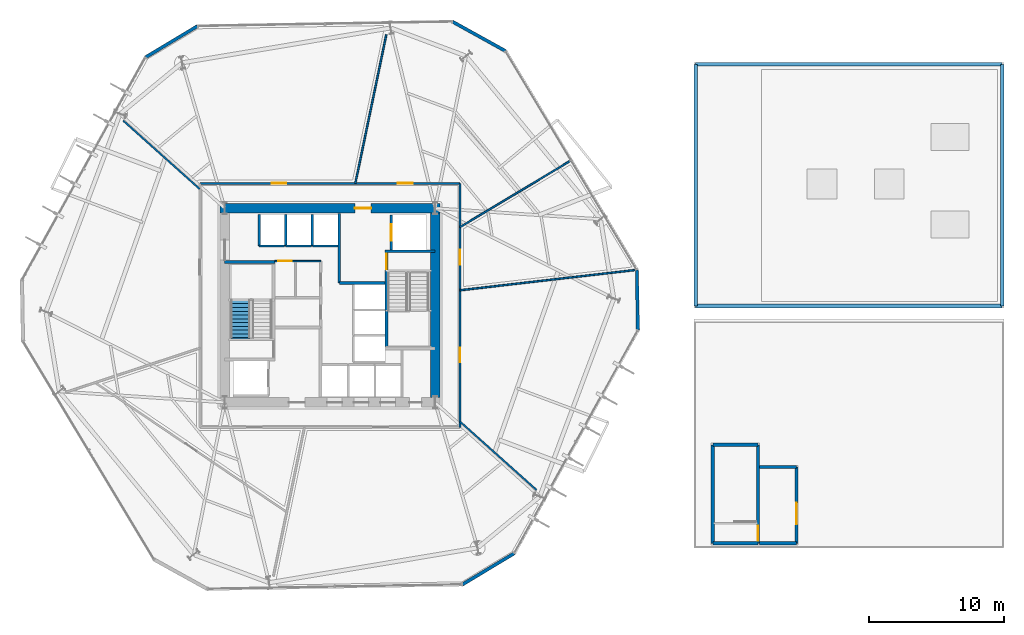
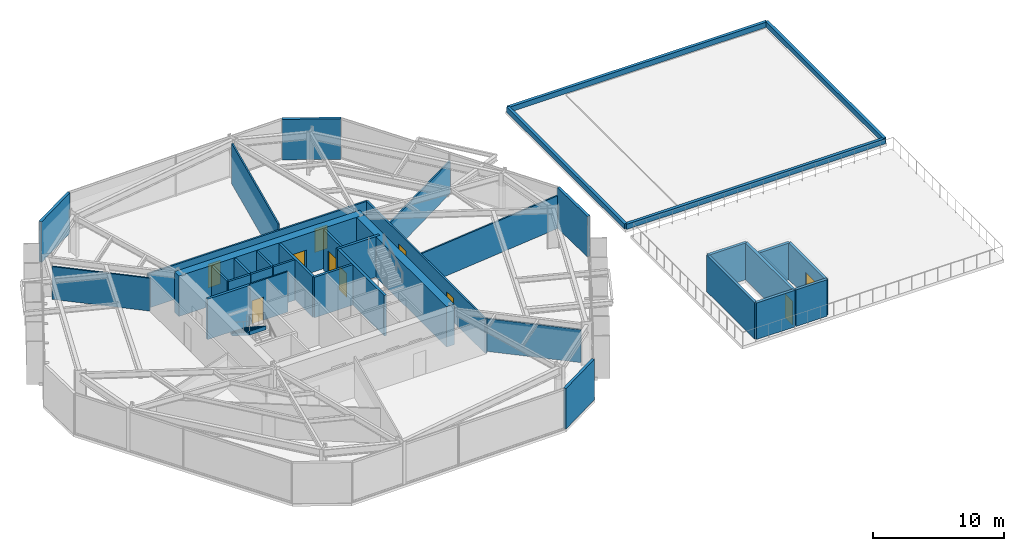
# One storey, part 7 of 11: 37 walls, 10 doors, 1 stair flight, 10 openings, 1 element without a shape of its own.
"""IFC4 building model written with IfcOpenShell, lengths in metres."""

from ifc_helpers import new_model, si_unit, direction, frame, frame_2d, origin, place, context, subcontext, project, spatial, polyline, rectangle, outline, extrude, material, layer, layer_set, type_object, element, fill, aggregate, save


model = new_model("IFC4")

# Units and contexts
model_context = context("Model", 3, precision=1e-05, world=origin(), true_north=direction((0.0, 1.0)))
body_context = subcontext(model_context, "Body", "Model", "MODEL_VIEW")
ifc_project = project(units=[si_unit("LENGTHUNIT", "METRE"), si_unit("AREAUNIT", "SQUARE_METRE"), si_unit("VOLUMEUNIT", "CUBIC_METRE"), si_unit("PLANEANGLEUNIT", "RADIAN"), si_unit("MASSUNIT", "GRAM", prefix="KILO")], contexts=[model_context])

# Site, building, storey
site_placement = place(None, origin())
site = spatial("IfcSite", under=ifc_project, at=site_placement, CompositionType="ELEMENT")
building_placement = place(site_placement, origin())
building = spatial("IfcBuilding", under=site, at=building_placement, Name="Kranzbogen Civic Tower", CompositionType="ELEMENT")
storey_placement = place(building_placement, frame((0.0, 0.0, 24.0)))
storey = spatial("IfcBuildingStorey", under=building, at=storey_placement, Name="L05", CompositionType="ELEMENT", Elevation=24.0)

# Wall, openings, doors
ifc_material_1 = material(Name="Double-Stud Acoustic Gypsum Partition")
ifc_layer_1 = layer(ifc_material_1, 0.14990234375, Name="Double-Stud Acoustic Gypsum Partition")
ifc_layer_set_1 = layer_set([ifc_layer_1], Name="Double-Stud Acoustic Gypsum Partition")
wall_type_1 = type_object("IfcWallType", Name="Acoustic Corridor and Clinical Partition 150 mm", PredefinedType="PARTITIONING", material=ifc_layer_set_1)
wall_1_placement = place(storey_placement, frame((15.35009765625, 34.050048828125, 0.0), z_axis=(0.0, 0.0, 1.0), x_axis=(1.0, 0.0, 0.0)))
wall_1 = element("IfcWall", 1, at=wall_1_placement, inside=storey, type_object=wall_type_1, Name="L05 corridor partition 01", PredefinedType="PARTITIONING", context=body_context, shape_type="SweptSolid", body=[
    extrude(rectangle(XDim=19.2998046875, YDim=0.14990234375, at=frame_2d((9.64990234375, 0.0))), origin(), (0.0, 0.0, 1.0), 3.2099609375),
])
opening_1_placement = place(wall_1_placement, frame((14.693115234375, 0.0, 0.0)))
opening_1 = element("IfcOpeningElement", 2, at=opening_1_placement, cuts=wall_1, Name="Opening D-COR60", PredefinedType="OPENING", context=body_context, shape_type="SweptSolid", body=[
    extrude(rectangle(XDim=1.10009765625, YDim=2.199951171875, at=frame_2d((0.550048828125, 1.10009765625))), frame((0.0, 0.0849609375, 0.0), z_axis=(0.0, -1.0, 0.0), x_axis=(1.0, 0.0, 0.0)), (0.0, 0.0, 1.0), 0.169921875),
])
opening_2_placement = place(wall_1_placement, frame((5.319091796875, 0.0, 0.0)))
opening_2 = element("IfcOpeningElement", 3, at=opening_2_placement, cuts=wall_1, Name="Opening D-COR60", PredefinedType="OPENING", context=body_context, shape_type="SweptSolid", body=[
    extrude(rectangle(XDim=1.10009765625, YDim=2.199951171875, at=frame_2d((0.550048828125, 1.10009765625))), frame((0.0, 0.0849609375, 0.0), z_axis=(0.0, -1.0, 0.0), x_axis=(1.0, 0.0, 0.0)), (0.0, 0.0, 1.0), 0.169921875),
])
ifc_material_2 = material(Name="Oak Timber and Fire Core", Category="wood")
door_type_1 = type_object("IfcDoorType", Name="Corridor Acoustic Fire Door 1100x2200", OperationType="NOTDEFINED", PredefinedType="DOOR", material=ifc_material_2)
door_1_placement = place(opening_1_placement, origin())
door_1 = element("IfcDoor", 4, at=door_1_placement, inside=storey, type_object=door_type_1, Name="L05 Policy Seminar Room door", OperationType="SINGLE_SWING_LEFT", OverallHeight=2.199951171875, OverallWidth=1.10009765625, PredefinedType="DOOR", context=body_context, shape_type="SweptSolid", body=[
    extrude(rectangle(XDim=1.10009765625, YDim=2.199951171875, at=frame_2d((0.550048828125, 1.10009765625))), frame((0.0, 0.02490234375, 0.0), z_axis=(0.0, -1.0, 0.0), x_axis=(1.0, 0.0, 0.0)), (0.0, 0.0, 1.0), 0.050048828125),
])
fill(opening_1, door_1)
door_2_placement = place(opening_2_placement, origin())
door_2 = element("IfcDoor", 5, at=door_2_placement, inside=storey, type_object=door_type_1, Name="L05 Delegates Sitting Lounge door", OperationType="SINGLE_SWING_RIGHT", OverallHeight=2.199951171875, OverallWidth=1.10009765625, PredefinedType="DOOR", context=body_context, shape_type="SweptSolid", body=[
    extrude(rectangle(XDim=1.10009765625, YDim=2.199951171875, at=frame_2d((0.550048828125, 1.10009765625))), frame((0.0, 0.02490234375, 0.0), z_axis=(0.0, -1.0, 0.0), x_axis=(1.0, 0.0, 0.0)), (0.0, 0.0, 1.0), 0.050048828125),
])
fill(opening_2, door_2)

wall_2_placement = place(storey_placement, frame((34.64990234375, 34.050048828125, 0.0), z_axis=(0.0, 0.0, 1.0), x_axis=(0.0, -1.0, 0.0)))
wall_2 = element("IfcWall", 6, at=wall_2_placement, inside=storey, type_object=wall_type_1, Name="L05 corridor partition 02", PredefinedType="PARTITIONING", context=body_context, shape_type="SweptSolid", body=[
    extrude(rectangle(XDim=18.10009765625, YDim=0.14990234375, at=frame_2d((9.050048828125, 0.0))), origin(), (0.0, 0.0, 1.0), 3.2099609375),
])
opening_3_placement = place(wall_2_placement, frame((12.18994140625, 0.0, 0.0)))
opening_3 = element("IfcOpeningElement", 7, at=opening_3_placement, cuts=wall_2, Name="Opening D-COR60", PredefinedType="OPENING", context=body_context, shape_type="SweptSolid", body=[
    extrude(rectangle(XDim=1.10009765625, YDim=2.199951171875, at=frame_2d((0.550048828125, 1.10009765625))), frame((0.0, 0.0849609375, 0.0), z_axis=(0.0, -1.0, 0.0), x_axis=(1.0, 0.0, 0.0)), (0.0, 0.0, 1.0), 0.169921875),
])
opening_4_placement = place(wall_2_placement, frame((4.928955078125, 0.0, 0.0)))
opening_4 = element("IfcOpeningElement", 8, at=opening_4_placement, cuts=wall_2, Name="Opening D-COR60", PredefinedType="OPENING", context=body_context, shape_type="SweptSolid", body=[
    extrude(rectangle(XDim=1.10009765625, YDim=2.199951171875, at=frame_2d((0.550048828125, 1.10009765625))), frame((0.0, 0.0849609375, 0.0), z_axis=(0.0, -1.0, 0.0), x_axis=(1.0, 0.0, 0.0)), (0.0, 0.0, 1.0), 0.169921875),
])
door_3_placement = place(opening_3_placement, origin())
door_3 = element("IfcDoor", 9, at=door_3_placement, inside=storey, type_object=door_type_1, Name="L05 Executive Briefing Conference Room door", OperationType="SINGLE_SWING_LEFT", OverallHeight=2.199951171875, OverallWidth=1.10009765625, PredefinedType="DOOR", context=body_context, shape_type="SweptSolid", body=[
    extrude(rectangle(XDim=1.10009765625, YDim=2.199951171875, at=frame_2d((0.550048828125, 1.10009765625))), frame((0.0, 0.02490234375, 0.0), z_axis=(0.0, -1.0, 0.0), x_axis=(1.0, 0.0, 0.0)), (0.0, 0.0, 1.0), 0.050048828125),
])
fill(opening_3, door_3)
door_4_placement = place(opening_4_placement, origin())
door_4 = element("IfcDoor", 10, at=door_4_placement, inside=storey, type_object=door_type_1, Name="L05 Parliamentary Review Boardroom door", OperationType="SINGLE_SWING_RIGHT", OverallHeight=2.199951171875, OverallWidth=1.10009765625, PredefinedType="DOOR", context=body_context, shape_type="SweptSolid", body=[
    extrude(rectangle(XDim=1.10009765625, YDim=2.199951171875, at=frame_2d((0.550048828125, 1.10009765625))), frame((0.0, 0.02490234375, 0.0), z_axis=(0.0, -1.0, 0.0), x_axis=(1.0, 0.0, 0.0)), (0.0, 0.0, 1.0), 0.050048828125),
])
fill(opening_4, door_4)

# Wall, opening, door
ifc_material_3 = material(Name="Insulated Metal-Stud Gypsum Partition")
ifc_layer_2 = layer(ifc_material_3, 0.125, Name="Insulated Metal-Stud Gypsum Partition")
ifc_layer_set_2 = layer_set([ifc_layer_2], Name="Insulated Metal-Stud Gypsum Partition")
wall_type_2 = type_object("IfcWallType", Name="Acoustic Inter-Room Partition 125 mm", PredefinedType="PARTITIONING", material=ifc_layer_set_2)
wall_3_placement = place(storey_placement, frame((20.919921875, 28.280029296875, 0.0), z_axis=(0.0, 0.0, 1.0), x_axis=(1.0, 0.0, 0.0)))
wall_3 = element("IfcWall", 11, at=wall_3_placement, inside=storey, type_object=wall_type_2, Name="L05 core auxiliary North wall", PredefinedType="PARTITIONING", context=body_context, shape_type="SweptSolid", body=[
    extrude(rectangle(XDim=3.405029296875, YDim=0.125, at=frame_2d((1.70263671875, 0.0))), origin(), (0.0, 0.0, 1.0), 3.760009765625),
])
opening_5_placement = place(wall_3_placement, frame((0.2548828125, 0.0, 0.0)))
opening_5 = element("IfcOpeningElement", 12, at=opening_5_placement, cuts=wall_3, Name="Opening D-RSR10", PredefinedType="OPENING", context=body_context, shape_type="SweptSolid", body=[
    extrude(rectangle(XDim=1.0, YDim=2.14990234375, at=frame_2d((0.5, 1.074951171875))), frame((0.0, 0.072509765625, 0.0), z_axis=(0.0, -1.0, 0.0), x_axis=(1.0, 0.0, 0.0)), (0.0, 0.0, 1.0), 0.14501953125),
])
door_type_2 = type_object("IfcDoorType", Name="Core Archive and Riser Fire Door 1000x2150", OperationType="NOTDEFINED", PredefinedType="DOOR", material=ifc_material_2)
door_5_placement = place(opening_5_placement, origin())
door_5 = element("IfcDoor", 13, at=door_5_placement, inside=storey, type_object=door_type_2, Name="L05 Telecom and Riser Room door", OperationType="SINGLE_SWING_LEFT", OverallHeight=2.14990234375, OverallWidth=1.0, PredefinedType="DOOR", context=body_context, shape_type="SweptSolid", body=[
    extrude(rectangle(XDim=1.0, YDim=2.14990234375, at=frame_2d((0.5, 1.074951171875))), frame((0.0, 0.02490234375, 0.0), z_axis=(0.0, -1.0, 0.0), x_axis=(1.0, 0.0, 0.0)), (0.0, 0.0, 1.0), 0.050048828125),
])
fill(opening_5, door_5)

# Walls
wall_4_placement = place(storey_placement, frame((34.64990234375, 30.798095703125, 0.0), z_axis=(0.0, 0.0, 1.0), x_axis=(0.85716053623, 0.515049332715, 0.0)))
element("IfcWall", 14, at=wall_4_placement, inside=storey, type_object=wall_type_2, Name="L05 radial room partition 01", PredefinedType="PARTITIONING", context=body_context, shape_type="SweptSolid", body=[
    extrude(rectangle(XDim=9.596923828125, YDim=0.125, at=frame_2d((4.79833984375, 0.0))), origin(), (0.0, 0.0, 1.0), 3.02001953125),
])
wall_5_placement = place(storey_placement, frame((26.886962890625, 34.050048828125, 0.0), z_axis=(0.0, 0.0, 1.0), x_axis=(0.204117775604, 0.97894633851, 0.0)))
element("IfcWall", 15, at=wall_5_placement, inside=storey, type_object=wall_type_2, Name="L05 radial room partition 02", PredefinedType="PARTITIONING", context=body_context, shape_type="SweptSolid", body=[
    extrude(rectangle(XDim=11.268310546875, YDim=0.125, at=frame_2d((5.63427734375, 0.0))), origin(), (0.0, 0.0, 1.0), 3.760009765625),
])
for number, where, z_axis, x_axis, name in (
    (16, (15.35009765625, 33.6220703125, 0.0), (0.0, 0.0, 1.0), (-0.745724240471, 0.666254723941, 0.0), "L05 radial room partition 03"),
    (17, (34.64990234375, 16.3779296875, 0.0), (0.0, 0.0, 1.0), (0.745724240471, -0.666254723941, 0.0), "L05 radial room partition 06"),
):
    element("IfcWall", number, at=place(storey_placement, frame(where, z_axis=z_axis, x_axis=x_axis)), inside=storey, type_object=wall_type_2, Name=name, PredefinedType="PARTITIONING", context=body_context, shape_type="SweptSolid", body=[
        extrude(rectangle(XDim=7.61279296875, YDim=0.125, at=frame_2d((3.806396484375, 0.0))), origin(), (0.0, 0.0, 1.0), 3.050048828125),
    ])
wall_6_placement = place(storey_placement, frame((34.64990234375, 26.115966796875, 0.0), z_axis=(0.0, 0.0, 1.0), x_axis=(0.993368494043, 0.114974062475, 0.0)))
element("IfcWall", 18, at=wall_6_placement, inside=storey, type_object=wall_type_2, Name="L05 radial room partition 07", PredefinedType="PARTITIONING", context=body_context, shape_type="SweptSolid", body=[
    extrude(rectangle(XDim=13.1865234375, YDim=0.125, at=frame_2d((6.59326171875, 0.0))), origin(), (0.0, 0.0, 1.0), 3.050048828125),
])

# Wall, opening, door
ifc_material_4 = material(Name="Concrete C55/67", Category="concrete")
ifc_layer_3 = layer(ifc_material_4, 0.699951171875, Name="Concrete C55/67")
ifc_layer_set_3 = layer_set([ifc_layer_3], Name="Concrete C55/67")
wall_type_3 = type_object("IfcWallType", Name="Central Core Shear Wall 700 mm", PredefinedType="SHEAR", material=ifc_layer_set_3)
wall_7_placement = place(storey_placement, frame((33.14990234375, 32.199951171875, 0.0), z_axis=(0.0, 0.0, 1.0), x_axis=(-1.0, 0.0, 0.0)))
wall_7 = element("IfcWall", 19, at=wall_7_placement, inside=storey, type_object=wall_type_3, Name="L05 central core North shear wall", PredefinedType="SHEAR", context=body_context, shape_type="SweptSolid", body=[
    extrude(rectangle(XDim=16.2998046875, YDim=0.699951171875, at=frame_2d((8.14990234375, 0.0))), origin(), (0.0, 0.0, 1.0), 3.760009765625),
])
opening_6_placement = place(wall_7_placement, frame((5.10009765625, 0.0, 0.0)))
opening_6 = element("IfcOpeningElement", 20, at=opening_6_placement, cuts=wall_7, Name="Opening D-EX120", PredefinedType="OPENING", context=body_context, shape_type="SweptSolid", body=[
    extrude(rectangle(XDim=1.199951171875, YDim=2.25, at=frame_2d((0.60009765625, 1.125))), frame((0.0, 0.35986328125, 0.0), z_axis=(0.0, -1.0, 0.0), x_axis=(1.0, 0.0, 0.0)), (0.0, 0.0, 1.0), 0.719970703125),
])
ifc_material_5 = material(Name="Steel S355", Category="steel")
door_type_3 = type_object("IfcDoorType", Name="Exit Passageway Fire Door 1200x2250", OperationType="NOTDEFINED", PredefinedType="DOOR", material=ifc_material_5)
door_6_placement = place(opening_6_placement, origin())
door_6 = element("IfcDoor", 21, at=door_6_placement, inside=storey, type_object=door_type_3, Name="L05 East firefighting lobby corridor door", OperationType="SINGLE_SWING_LEFT", OverallHeight=2.25, OverallWidth=1.199951171875, PredefinedType="DOOR", context=body_context, shape_type="SweptSolid", body=[
    extrude(rectangle(XDim=1.199951171875, YDim=2.25, at=frame_2d((0.60009765625, 1.125))), frame((0.0, 0.02490234375, 0.0), z_axis=(0.0, -1.0, 0.0), x_axis=(1.0, 0.0, 0.0)), (0.0, 0.0, 1.0), 0.050048828125),
])
fill(opening_6, door_6)

# Walls
wall_8_placement = place(storey_placement, frame((32.800048828125, 18.14990234375, 0.0), z_axis=(0.0, 0.0, 1.0), x_axis=(0.0, 1.0, 0.0)))
element("IfcWall", 22, at=wall_8_placement, inside=storey, type_object=wall_type_3, Name="L05 central core East shear wall", PredefinedType="SHEAR", context=body_context, shape_type="SweptSolid", body=[
    extrude(rectangle(XDim=13.7001953125, YDim=0.699951171875, at=frame_2d((6.85009765625, 0.0))), origin(), (0.0, 0.0, 1.0), 3.760009765625),
])
ifc_material_6 = material(Name="Concrete C45/55", Category="concrete")
ifc_layer_4 = layer(ifc_material_6, 0.219970703125, Name="Concrete C45/55")
ifc_layer_set_4 = layer_set([ifc_layer_4], Name="Concrete C45/55")
wall_type_4 = type_object("IfcWallType", Name="Core Internal Stair Structural Wall 220 mm", PredefinedType="SOLIDWALL", material=ifc_layer_set_4)
wall_9_placement = place(storey_placement, frame((17.199951171875, 28.2099609375, 0.0), z_axis=(0.0, 0.0, 1.0), x_axis=(1.0, 0.0, 0.0)))
element("IfcWall", 23, at=wall_9_placement, inside=storey, type_object=wall_type_4, Name="L05 ST-T1 North structural stair wall", PredefinedType="SOLIDWALL", context=body_context, shape_type="SweptSolid", body=[
    extrude(rectangle(XDim=3.719970703125, YDim=0.219970703125, at=frame_2d((1.85986328125, 0.0))), origin(), (0.0, 0.0, 1.0), 3.760009765625),
])

# Wall, opening, door
wall_10_placement = place(storey_placement, frame((29.18994140625, 21.7900390625, 0.0), z_axis=(0.0, 0.0, 1.0), x_axis=(0.0, 1.0, 0.0)))
wall_10 = element("IfcWall", 24, at=wall_10_placement, inside=storey, type_object=wall_type_4, Name="L05 ST-T2 West structural stair wall", PredefinedType="SOLIDWALL", context=body_context, shape_type="SweptSolid", body=[
    extrude(rectangle(XDim=7.219970703125, YDim=0.219970703125, at=frame_2d((3.60986328125, 0.0))), origin(), (0.0, 0.0, 1.0), 3.760009765625),
])
opening_7_placement = place(wall_10_placement, frame((5.8798828125, 0.0, 0.0)))
opening_7 = element("IfcOpeningElement", 25, at=opening_7_placement, cuts=wall_10, Name="Opening D-ST90", PredefinedType="OPENING", context=body_context, shape_type="SweptSolid", body=[
    extrude(rectangle(XDim=1.14990234375, YDim=2.199951171875, at=frame_2d((0.574951171875, 1.10009765625))), frame((0.0, 0.1201171875, 0.0), z_axis=(0.0, -1.0, 0.0), x_axis=(1.0, 0.0, 0.0)), (0.0, 0.0, 1.0), 0.239990234375),
])
door_type_4 = type_object("IfcDoorType", Name="Pressurized Stair and Lobby Fire Door 1150x2200", OperationType="NOTDEFINED", PredefinedType="DOOR", material=ifc_material_5)
door_7_placement = place(opening_7_placement, origin())
door_7 = element("IfcDoor", 26, at=door_7_placement, inside=storey, type_object=door_type_4, Name="L05 Stair ST-T2 fire door", OperationType="SINGLE_SWING_LEFT", OverallHeight=2.199951171875, OverallWidth=1.14990234375, PredefinedType="DOOR", context=body_context, shape_type="SweptSolid", body=[
    extrude(rectangle(XDim=1.14990234375, YDim=2.199951171875, at=frame_2d((0.574951171875, 1.10009765625))), frame((0.0, 0.02490234375, 0.0), z_axis=(0.0, -1.0, 0.0), x_axis=(1.0, 0.0, 0.0)), (0.0, 0.0, 1.0), 0.050048828125),
])
fill(opening_7, door_7)

# Walls
wall_11_placement = place(storey_placement, frame((29.080078125, 29.010009765625, 0.0), z_axis=(0.0, 0.0, 1.0), x_axis=(1.0, 0.0, 0.0)))
element("IfcWall", 27, at=wall_11_placement, inside=storey, type_object=wall_type_4, Name="L05 ST-T2 North structural stair wall", PredefinedType="SOLIDWALL", context=body_context, shape_type="SweptSolid", body=[
    extrude(rectangle(XDim=3.719970703125, YDim=0.219970703125, at=frame_2d((1.85986328125, 0.0))), origin(), (0.0, 0.0, 1.0), 3.760009765625),
])
ifc_material_7 = material(Name="Gypsum Fireboard and Concrete Block", Category="concrete")
ifc_layer_5 = layer(ifc_material_7, 0.199951171875, Name="Gypsum Fireboard and Concrete Block")
ifc_layer_set_5 = layer_set([ifc_layer_5], Name="Gypsum Fireboard and Concrete Block")
wall_type_5 = type_object("IfcWallType", Name="Fire-Rated Exit Passageway and Stair Wall 200 mm", PredefinedType="PARTITIONING", material=ifc_layer_set_5)
wall_12_placement = place(storey_placement, frame((25.699951171875, 26.64990234375, 0.0), z_axis=(0.0, 0.0, 1.0), x_axis=(0.0, 1.0, 0.0)))
element("IfcWall", 28, at=wall_12_placement, inside=storey, type_object=wall_type_5, Name="L05 East firefighting lobby West wall", PredefinedType="PARTITIONING", context=body_context, shape_type="SweptSolid", body=[
    extrude(rectangle(XDim=5.150146484375, YDim=0.199951171875, at=frame_2d((2.5751953125, 0.0))), origin(), (0.0, 0.0, 1.0), 3.760009765625),
])
wall_13_placement = place(storey_placement, frame((25.699951171875, 26.64990234375, 0.0), z_axis=(0.0, 0.0, 1.0), x_axis=(1.0, 0.0, 0.0)))
element("IfcWall", 29, at=wall_13_placement, inside=storey, type_object=wall_type_5, Name="L05 East firefighting lobby South wall", PredefinedType="PARTITIONING", context=body_context, shape_type="SweptSolid", body=[
    extrude(rectangle(XDim=3.380126953125, YDim=0.199951171875, at=frame_2d((1.68994140625, 0.0))), origin(), (0.0, 0.0, 1.0), 3.760009765625),
])
ifc_material_8 = material(Name="Gypsum Fireboard Shaftliner")
ifc_layer_6 = layer(ifc_material_8, 0.175048828125, Name="Gypsum Fireboard Shaftliner")
ifc_layer_set_6 = layer_set([ifc_layer_6], Name="Gypsum Fireboard Shaftliner")
wall_type_6 = type_object("IfcWallType", Name="Fire-Rated Lift and Service Shaft Wall 175 mm", PredefinedType="PARTITIONING", material=ifc_layer_set_6)
wall_14_placement = place(storey_placement, frame((19.75, 29.39990234375, 0.0), z_axis=(0.0, 0.0, 1.0), x_axis=(1.0, 0.0, 0.0)))
element("IfcWall", 30, at=wall_14_placement, inside=storey, type_object=wall_type_6, Name="L05 lift MP-01 rear wall", PredefinedType="PARTITIONING", context=body_context, shape_type="SweptSolid", body=[
    extrude(rectangle(XDim=1.89990234375, YDim=0.175048828125, at=frame_2d((0.949951171875, 0.0))), origin(), (0.0, 0.0, 1.0), 3.760009765625),
])
wall_15_placement = place(storey_placement, frame((19.75, 29.39990234375, 0.0), z_axis=(0.0, 0.0, 1.0), x_axis=(0.0, 1.0, 0.0)))
element("IfcWall", 31, at=wall_15_placement, inside=storey, type_object=wall_type_6, Name="L05 lift MP-01 side wall", PredefinedType="PARTITIONING", context=body_context, shape_type="SweptSolid", body=[
    extrude(rectangle(XDim=2.35009765625, YDim=0.175048828125, at=frame_2d((1.175048828125, 0.0))), origin(), (0.0, 0.0, 1.0), 3.760009765625),
])
wall_16_placement = place(storey_placement, frame((21.72509765625, 29.39990234375, 0.0), z_axis=(0.0, 0.0, 1.0), x_axis=(1.0, 0.0, 0.0)))
element("IfcWall", 32, at=wall_16_placement, inside=storey, type_object=wall_type_6, Name="L05 lift MP-02 rear wall", PredefinedType="PARTITIONING", context=body_context, shape_type="SweptSolid", body=[
    extrude(rectangle(XDim=1.89990234375, YDim=0.175048828125, at=frame_2d((0.949951171875, 0.0))), origin(), (0.0, 0.0, 1.0), 3.760009765625),
])
wall_17_placement = place(storey_placement, frame((21.72509765625, 29.39990234375, 0.0), z_axis=(0.0, 0.0, 1.0), x_axis=(0.0, 1.0, 0.0)))
element("IfcWall", 33, at=wall_17_placement, inside=storey, type_object=wall_type_6, Name="L05 lift MP-02 side wall", PredefinedType="PARTITIONING", context=body_context, shape_type="SweptSolid", body=[
    extrude(rectangle(XDim=2.35009765625, YDim=0.175048828125, at=frame_2d((1.175048828125, 0.0))), origin(), (0.0, 0.0, 1.0), 3.760009765625),
])
wall_18_placement = place(storey_placement, frame((23.699951171875, 29.39990234375, 0.0), z_axis=(0.0, 0.0, 1.0), x_axis=(1.0, 0.0, 0.0)))
element("IfcWall", 34, at=wall_18_placement, inside=storey, type_object=wall_type_6, Name="L05 lift MP-03 rear wall", PredefinedType="PARTITIONING", context=body_context, shape_type="SweptSolid", body=[
    extrude(rectangle(XDim=1.900146484375, YDim=0.175048828125, at=frame_2d((0.9501953125, 0.0))), origin(), (0.0, 0.0, 1.0), 3.760009765625),
])
wall_19_placement = place(storey_placement, frame((23.699951171875, 29.39990234375, 0.0), z_axis=(0.0, 0.0, 1.0), x_axis=(0.0, 1.0, 0.0)))
element("IfcWall", 35, at=wall_19_placement, inside=storey, type_object=wall_type_6, Name="L05 lift MP-03 side wall", PredefinedType="PARTITIONING", context=body_context, shape_type="SweptSolid", body=[
    extrude(rectangle(XDim=2.35009765625, YDim=0.175048828125, at=frame_2d((1.175048828125, 0.0))), origin(), (0.0, 0.0, 1.0), 3.760009765625),
])

# Wall, opening, door
wall_20_placement = place(storey_placement, frame((29.550048828125, 29.10009765625, 0.0), z_axis=(0.0, 0.0, 1.0), x_axis=(0.0, 1.0, 0.0)))
wall_20 = element("IfcWall", 36, at=wall_20_placement, inside=storey, type_object=wall_type_6, Name="L05 lift FF-02 landing wall", PredefinedType="PARTITIONING", context=body_context, shape_type="SweptSolid", body=[
    extrude(rectangle(XDim=2.599853515625, YDim=0.175048828125, at=frame_2d((1.2998046875, 0.0))), origin(), (0.0, 0.0, 1.0), 3.760009765625),
])
opening_8_placement = place(wall_20_placement, frame((0.699951171875, 0.0, 0.0)))
opening_8 = element("IfcOpeningElement", 37, at=opening_8_placement, cuts=wall_20, Name="Opening LD-FF-02", PredefinedType="OPENING", context=body_context, shape_type="SweptSolid", body=[
    extrude(rectangle(XDim=1.199951171875, YDim=2.199951171875, at=frame_2d((0.60009765625, 1.10009765625))), frame((0.0, 0.09765625, 0.0), z_axis=(0.0, -1.0, 0.0), x_axis=(1.0, 0.0, 0.0)), (0.0, 0.0, 1.0), 0.195068359375),
])
ifc_material_9 = material(Name="Pale Anodised Aluminium", Category="aluminium")
door_type_5 = type_object("IfcDoorType", Name="Firefighting and Stretcher Lift Sliding Landing Door 1200x2200", OperationType="DOUBLE_DOOR_SLIDING", PredefinedType="DOOR", material=ifc_material_9)
door_8_placement = place(opening_8_placement, origin())
door_8 = element("IfcDoor", 38, at=door_8_placement, inside=storey, type_object=door_type_5, Name="L05 lift FF-02 sliding landing door", OperationType="DOUBLE_DOOR_SLIDING", OverallHeight=2.199951171875, OverallWidth=1.199951171875, PredefinedType="DOOR", context=body_context, shape_type="SweptSolid", body=[
    extrude(rectangle(XDim=1.199951171875, YDim=2.199951171875, at=frame_2d((0.60009765625, 1.10009765625))), frame((0.0, 0.02490234375, 0.0), z_axis=(0.0, -1.0, 0.0), x_axis=(1.0, 0.0, 0.0)), (0.0, 0.0, 1.0), 0.050048828125),
])
fill(opening_8, door_8)

# Walls
ifc_layer_7 = layer(ifc_material_9, 0.239990234375, Name="Pale Anodised Aluminium")
ifc_layer_set_7 = layer_set([ifc_layer_7], Name="Pale Anodised Aluminium")
wall_type_7 = type_object("IfcWallType", Name="Insulated Aluminium Facade Portal Wall 240 mm", PredefinedType="STANDARD", material=ifc_layer_set_7)
for number, where, z_axis, x_axis, name in (
    (39, (38.014892578125, 43.865966796875, 0.0), (0.0, 0.0, 1.0), (-0.874617651583, 0.48481332855, 0.0), "L05 chamfered corner facade spandrel 1"),
    (40, (15.1689453125, 45.705078125, 0.0), (0.0, 0.0, 1.0), (-0.857174976065, -0.515025300745, 0.0), "L05 chamfered corner facade spandrel 2"),
    (41, (34.8310546875, 4.294921875, 0.0), (0.0, 0.0, 1.0), (0.857174976065, 0.515025300745, 0.0), "L05 chamfered corner facade spandrel 5"),
):
    element("IfcWall", number, at=place(storey_placement, frame(where, z_axis=z_axis, x_axis=x_axis)), inside=storey, type_object=wall_type_7, Name=name, PredefinedType="STANDARD", context=body_context, shape_type="SweptSolid", body=[
        extrude(rectangle(XDim=4.473876953125, YDim=0.239990234375, at=frame_2d((2.23681640625, 0.0))), origin(), (0.0, 0.0, 1.0), 3.760009765625),
    ])
wall_21_placement = place(storey_placement, frame((47.844970703125, 23.162109375, 0.0), z_axis=(0.0, 0.0, 1.0), x_axis=(-0.017194596879, 0.999852161991, 0.0)))
element("IfcWall", 42, at=wall_21_placement, inside=storey, type_object=wall_type_7, Name="L05 chamfered corner facade spandrel 6", PredefinedType="STANDARD", context=body_context, shape_type="SweptSolid", body=[
    extrude(rectangle(XDim=4.47265625, YDim=0.239990234375, at=frame_2d((2.236328125, 0.0))), origin(), (0.0, 0.0, 1.0), 3.760009765625),
])

# Wall, opening, door
wall_22_placement = place(storey_placement, frame((56.75, 7.35009765625, 0.0), z_axis=(0.0, 0.0, 1.0), x_axis=(0.0, 1.0, 0.0)))
wall_22 = element("IfcWall", 43, at=wall_22_placement, inside=storey, type_object=wall_type_7, Name="L05 Health Roof stair headhouse 1 East wall", PredefinedType="STANDARD", context=body_context, shape_type="SweptSolid", body=[
    extrude(rectangle(XDim=7.2998046875, YDim=0.239990234375, at=frame_2d((3.64990234375, 0.0))), origin(), (0.0, 0.0, 1.0), 3.39990234375),
])
opening_9_placement = place(wall_22_placement, frame((0.199951171875, 0.0, 0.0)))
opening_9 = element("IfcOpeningElement", 44, at=opening_9_placement, cuts=wall_22, Name="Opening D-EXH11", PredefinedType="OPENING", context=body_context, shape_type="SweptSolid", body=[
    extrude(rectangle(XDim=1.10009765625, YDim=2.199951171875, at=frame_2d((0.550048828125, 1.10009765625))), frame((0.0, 0.1298828125, 0.0), z_axis=(0.0, -1.0, 0.0), x_axis=(1.0, 0.0, 0.0)), (0.0, 0.0, 1.0), 0.260009765625),
])
door_type_6 = type_object("IfcDoorType", Name="Rooftop Headhouse Fire Door 1100x2200", OperationType="NOTDEFINED", PredefinedType="DOOR", material=ifc_material_9)
door_9_placement = place(opening_9_placement, frame((1.10009765625, 0.0, 0.0), z_axis=(0.0, 0.0, 1.0), x_axis=(-1.0, 0.0, 0.0)))
door_9 = element("IfcDoor", 45, at=door_9_placement, inside=storey, type_object=door_type_6, Name="L05 stair headhouse 1 to garden lounge door", OperationType="SINGLE_SWING_RIGHT", OverallHeight=2.199951171875, OverallWidth=1.10009765625, PredefinedType="DOOR", context=body_context, shape_type="SweptSolid", body=[
    extrude(rectangle(XDim=1.10009765625, YDim=2.199951171875, at=frame_2d((0.550048828125, 1.10009765625))), frame((0.0, 0.02490234375, 0.0), z_axis=(0.0, -1.0, 0.0), x_axis=(1.0, 0.0, 0.0)), (0.0, 0.0, 1.0), 0.050048828125),
])
fill(opening_9, door_9)

# Walls
wall_23_placement = place(storey_placement, frame((53.39990234375, 14.64990234375, 0.0), z_axis=(0.0, 0.0, 1.0), x_axis=(0.0, -1.0, 0.0)))
element("IfcWall", 46, at=wall_23_placement, inside=storey, type_object=wall_type_7, Name="L05 Health Roof stair headhouse 1 West wall", PredefinedType="STANDARD", context=body_context, shape_type="SweptSolid", body=[
    extrude(rectangle(XDim=7.2998046875, YDim=0.239990234375, at=frame_2d((3.64990234375, 0.0))), origin(), (0.0, 0.0, 1.0), 3.39990234375),
])
for number, where, z_axis, x_axis, name in (
    (47, (53.39990234375, 7.35009765625, 0.0), (0.0, 0.0, 1.0), (1.0, 0.0, 0.0), "L05 Health Roof stair headhouse 1 South wall"),
    (48, (56.75, 14.64990234375, 0.0), (0.0, 0.0, 1.0), (-1.0, 0.0, 0.0), "L05 Health Roof stair headhouse 1 North wall"),
):
    element("IfcWall", number, at=place(storey_placement, frame(where, z_axis=z_axis, x_axis=x_axis)), inside=storey, type_object=wall_type_7, Name=name, PredefinedType="STANDARD", context=body_context, shape_type="SweptSolid", body=[
        extrude(rectangle(XDim=3.35009765625, YDim=0.239990234375, at=frame_2d((1.675048828125, 0.0))), origin(), (0.0, 0.0, 1.0), 3.39990234375),
    ])

# Wall, opening, door
wall_24_placement = place(storey_placement, frame((59.60009765625, 7.35009765625, 0.0), z_axis=(0.0, 0.0, 1.0), x_axis=(0.0, 1.0, 0.0)))
wall_24 = element("IfcWall", 49, at=wall_24_placement, inside=storey, type_object=wall_type_7, Name="L05 Roof Garden Pavilion East portal wall", PredefinedType="STANDARD", context=body_context, shape_type="SweptSolid", body=[
    extrude(rectangle(XDim=5.64990234375, YDim=0.239990234375, at=frame_2d((2.824951171875, 0.0))), origin(), (0.0, 0.0, 1.0), 3.39990234375),
])
opening_10_placement = place(wall_24_placement, frame((1.39990234375, 0.0, 0.0)))
opening_10 = element("IfcOpeningElement", 50, at=opening_10_placement, cuts=wall_24, Name="Opening D-TER", PredefinedType="OPENING", context=body_context, shape_type="SweptSolid", body=[
    extrude(rectangle(XDim=1.60009765625, YDim=2.25, at=frame_2d((0.800048828125, 1.125))), frame((0.0, 0.1298828125, 0.0), z_axis=(0.0, -1.0, 0.0), x_axis=(1.0, 0.0, 0.0)), (0.0, 0.0, 1.0), 0.260009765625),
])
ifc_material_10 = material(Name="Anodised Bronze and Triple Glass", Category="glass")
door_type_7 = type_object("IfcDoorType", Name="Glazed Terrace and Balcony Double Door 1600x2250", OperationType="DOUBLE_DOOR_SINGLE_SWING", PredefinedType="DOOR", material=ifc_material_10)
door_10_placement = place(opening_10_placement, frame((1.60009765625, 0.0, 0.0), z_axis=(0.0, 0.0, 1.0), x_axis=(-1.0, 0.0, 0.0)))
door_10 = element("IfcDoor", 51, at=door_10_placement, inside=storey, type_object=door_type_7, Name="L05 Roof Garden Visitor Lounge terrace door", OperationType="DOUBLE_DOOR_SINGLE_SWING", OverallHeight=2.25, OverallWidth=1.60009765625, PredefinedType="DOOR", context=body_context, shape_type="SweptSolid", body=[
    extrude(rectangle(XDim=1.60009765625, YDim=2.25, at=frame_2d((0.800048828125, 1.125))), frame((0.0, 0.02490234375, 0.0), z_axis=(0.0, -1.0, 0.0), x_axis=(1.0, 0.0, 0.0)), (0.0, 0.0, 1.0), 0.050048828125),
])
fill(opening_10, door_10)

# Walls
for number, where, z_axis, x_axis, name in (
    (52, (59.60009765625, 13.0, 0.0), (0.0, 0.0, 1.0), (-1.0, 0.0, 0.0), "L05 Roof Garden Pavilion North wall"),
    (53, (56.8701171875, 7.35009765625, 0.0), (0.0, 0.0, 1.0), (1.0, 0.0, 0.0), "L05 Roof Garden Pavilion South wall"),
):
    element("IfcWall", number, at=place(storey_placement, frame(where, z_axis=z_axis, x_axis=x_axis)), inside=storey, type_object=wall_type_7, Name=name, PredefinedType="STANDARD", context=body_context, shape_type="SweptSolid", body=[
        extrude(rectangle(XDim=2.72998046875, YDim=0.239990234375, at=frame_2d((1.364990234375, 0.0))), origin(), (0.0, 0.0, 1.0), 3.39990234375),
    ])
ifc_material_11 = material(Name="Precast concrete C40/50", Category="concrete")
ifc_layer_8 = layer(ifc_material_11, 0.260009765625, Name="Precast concrete C40/50")
ifc_layer_set_8 = layer_set([ifc_layer_8], Name="Precast concrete C40/50")
wall_type_8 = type_object("IfcWallType", Name="Roof Maintenance Parapet Wall 260 mm", PredefinedType="PARAPET", material=ifc_layer_set_8)
wall_25_placement = place(storey_placement, frame((52.1298828125, 24.949951171875, 0.0), z_axis=(0.0, 0.0, 1.0), x_axis=(1.0, 0.0, 0.0)))
element("IfcWall", 54, at=wall_25_placement, inside=storey, type_object=wall_type_8, Name="L05 Health Roof maintenance parapet S", PredefinedType="PARAPET", context=body_context, shape_type="SweptSolid", body=[
    extrude(rectangle(XDim=22.740234375, YDim=0.260009765625, at=frame_2d((11.3701171875, 0.0))), origin(), (0.0, 0.0, 1.0), 0.47998046875),
])
wall_26_placement = place(storey_placement, frame((52.1298828125, 24.949951171875, 0.0), z_axis=(0.0, 0.0, 1.0), x_axis=(0.0, 1.0, 0.0)))
element("IfcWall", 55, at=wall_26_placement, inside=storey, type_object=wall_type_8, Name="L05 Health Roof maintenance parapet W", PredefinedType="PARAPET", context=body_context, shape_type="SweptSolid", body=[
    extrude(rectangle(XDim=17.920166015625, YDim=0.260009765625, at=frame_2d((8.9599609375, 0.0))), origin(), (0.0, 0.0, 1.0), 0.47998046875),
])
wall_27_placement = place(storey_placement, frame((52.1298828125, 42.8701171875, 0.0), z_axis=(0.0, 0.0, 1.0), x_axis=(1.0, 0.0, 0.0)))
element("IfcWall", 56, at=wall_27_placement, inside=storey, type_object=wall_type_8, Name="L05 Health Roof maintenance parapet N", PredefinedType="PARAPET", context=body_context, shape_type="SweptSolid", body=[
    extrude(rectangle(XDim=22.740234375, YDim=0.260009765625, at=frame_2d((11.3701171875, 0.0))), origin(), (0.0, 0.0, 1.0), 0.47998046875),
])
wall_28_placement = place(storey_placement, frame((74.8701171875, 42.8701171875, 0.0), z_axis=(0.0, 0.0, 1.0), x_axis=(0.0, -1.0, 0.0)))
element("IfcWall", 57, at=wall_28_placement, inside=storey, type_object=wall_type_8, Name="L05 Health Roof maintenance parapet E", PredefinedType="PARAPET", context=body_context, shape_type="SweptSolid", body=[
    extrude(rectangle(XDim=17.920166015625, YDim=0.260009765625, at=frame_2d((8.9599609375, 0.0))), origin(), (0.0, 0.0, 1.0), 0.47998046875),
])

# Stair, stair flight
stair_type = type_object("IfcStairType", Name="Tower Core Pressurized Dogleg Stair 1450", PredefinedType="HALF_TURN_STAIR", material=ifc_material_11)
stair_placement = place(storey_placement, origin())
stair = element("IfcStair", 58, at=stair_placement, inside=storey, type_object=stair_type, Name="L05 Tower Core Pressurized Stair 1", PredefinedType="HALF_TURN_STAIR")
stair_flight_type = type_object("IfcStairFlightType", Name="Precast Concrete Stair Flight R180", PredefinedType="STRAIGHT", material=ifc_material_11)
stair_flight_placement = place(storey_placement, frame((18.375, 25.39990234375, 2.0), z_axis=(0.0, 0.0, 1.0), x_axis=(0.0, -1.0, 0.0)))
stair_flight = element("IfcStairFlight", 59, at=stair_flight_placement, type_object=stair_flight_type, Name="ST-T1 flight 2", NumberOfRisers=11, NumberOfTreads=10, PredefinedType="STRAIGHT", RiserHeight=0.181818182, TreadLength=0.28, context=body_context, shape_type="SweptSolid", body=[
    extrude(outline(polyline([(0.0, 0.0), (0.0, 0.181884765625), (0.280029296875, 0.181884765625), (0.280029296875, 0.363525390625), (0.56005859375, 0.363525390625), (0.56005859375, 0.54541015625), (0.840087890625, 0.54541015625), (0.840087890625, 0.727294921875), (1.1201171875, 0.727294921875), (1.1201171875, 0.9091796875), (1.39990234375, 0.9091796875), (1.39990234375, 1.0908203125), (1.679931640625, 1.0908203125), (1.679931640625, 1.272705078125), (1.9599609375, 1.272705078125), (1.9599609375, 1.45458984375), (2.239990234375, 1.45458984375), (2.239990234375, 1.636474609375), (2.52001953125, 1.636474609375), (2.52001953125, 1.818115234375), (2.800048828125, 1.818115234375), (2.800048828125, 2.0), (2.880126953125, 2.0), (2.880126953125, 1.639404296875), (0.275146484375, 0.0), (0.0, 0.0)])), frame((0.0, 0.72509765625, 0.0), z_axis=(0.0, -1.0, 0.0), x_axis=(1.0, 0.0, 0.0)), (0.0, 0.0, 1.0), 1.449951171875),
])
aggregate(stair, [stair_flight])

save(model, "model.ifc")
